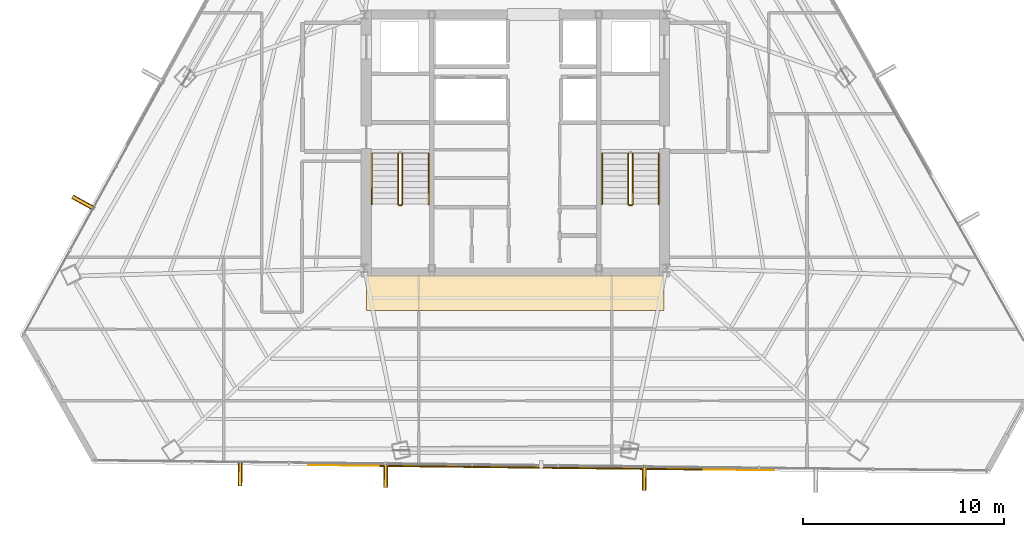
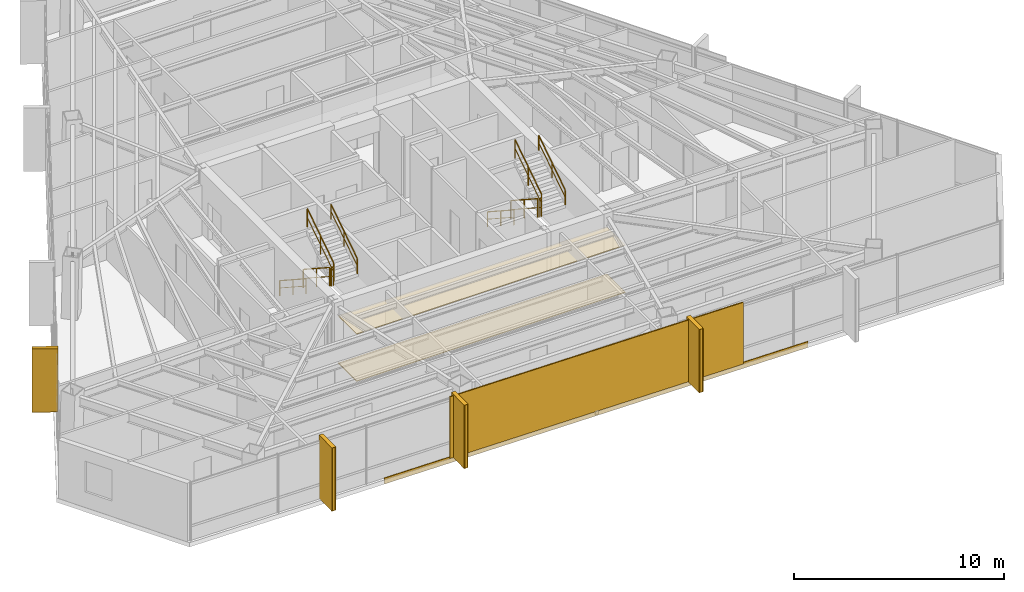
# One storey, part 40 of 42: 10 railings, 7 coverings, 5 shading devices.
"""IFC4 building model written with IfcOpenShell, lengths in metres."""

from ifc_helpers import new_model, si_unit, direction, frame, origin, origin_2d, place, context, subcontext, project, spatial, polyline, rectangle, outline, extrude, source, transform, mapped, material, layer, layer_set, type_object, type_shapes, element, save


model = new_model("IFC4")

# Units and contexts
model_context = context("Model", 3, precision=1e-05, world=origin(), true_north=direction((0.0, 1.0)))
body_context = subcontext(model_context, "Body", "Model", "MODEL_VIEW")
ifc_project = project(units=[si_unit("LENGTHUNIT", "METRE"), si_unit("AREAUNIT", "SQUARE_METRE"), si_unit("VOLUMEUNIT", "CUBIC_METRE"), si_unit("PLANEANGLEUNIT", "RADIAN"), si_unit("MASSUNIT", "GRAM", prefix="KILO")], contexts=[model_context])

# Site, building, storey
site_placement = place(None, origin())
site = spatial("IfcSite", under=ifc_project, at=site_placement, CompositionType="ELEMENT")
building_placement = place(site_placement, origin())
building = spatial("IfcBuilding", under=site, at=building_placement, Name="Caelisora Broadcast Tower", CompositionType="ELEMENT")
storey_placement = place(building_placement, frame((0.0, 0.0, 205.949951171875)))
storey = spatial("IfcBuildingStorey", under=building, at=storey_placement, Name="L54", CompositionType="ELEMENT", Elevation=205.949951171875)

# Coverings
ifc_material_1 = material(Name="Perforated Mineral-Fibre Acoustic Ceiling Tile", Category="gypsum")
ifc_layer_1 = layer(ifc_material_1, 0.034912109375, Name="Perforated Mineral-Fibre Acoustic Ceiling Tile")
ifc_layer_set_1 = layer_set([ifc_layer_1], Name="Perforated Mineral-Fibre Acoustic Ceiling Tile")
covering_type_1 = type_object("IfcCoveringType", Name="CE-1", PredefinedType="CEILING", material=ifc_layer_set_1)
covering_1_placement = place(storey_placement, frame((0.0, 0.0, 2.75)))
element("IfcCovering", 1, at=covering_1_placement, inside=storey, type_object=covering_type_1, Name="L54 acoustic corridor ceiling CE-1 (S)", PredefinedType="CEILING", context=body_context, shape_type="SweptSolid", body=[
    extrude(outline(polyline([(30.60009765625, 15.300048828125), (45.39990234375, 15.300048828125), (45.39990234375, 17.050048828125), (30.60009765625, 17.050048828125), (30.60009765625, 15.300048828125)])), origin(), (0.0, 0.0, 1.0), 0.03515625),
])
ifc_material_2 = material(Name="Anti-Static Broadcast Raised Access Floor Panel", Category="steel")
ifc_layer_2 = layer(ifc_material_2, 0.044921875, Name="Anti-Static Broadcast Raised Access Floor Panel")
ifc_layer_set_2 = layer_set([ifc_layer_2], Name="Anti-Static Broadcast Raised Access Floor Panel")
covering_type_2 = type_object("IfcCoveringType", Name="FL-1", PredefinedType="FLOORING", material=ifc_layer_set_2)
covering_2_placement = place(storey_placement, origin())
element("IfcCovering", 2, at=covering_2_placement, inside=storey, type_object=covering_type_2, Name="L54 broadcast raised access floor FL-1 (S)", PredefinedType="FLOORING", context=body_context, shape_type="SweptSolid", body=[
    extrude(outline(polyline([(30.60009765625, 15.300048828125), (45.39990234375, 15.300048828125), (45.39990234375, 17.050048828125), (30.60009765625, 17.050048828125), (30.60009765625, 15.300048828125)])), origin(), (0.0, 0.0, 1.0), 0.045166015625),
])

# Railings
ifc_material_3 = material(Name="Galvanised Steel Safety Guardrail", Category="steel")
ifc_layer_3 = layer(ifc_material_3, 0.048095703125, Name="Galvanised Steel Safety Guardrail")
ifc_layer_set_3 = layer_set([ifc_layer_3], Name="Galvanised Steel Safety Guardrail")
railing_type_1 = type_object("IfcRailingType", Name="GR-1", PredefinedType="GUARDRAIL", material=ifc_layer_set_3)
railing_1_placement = place(storey_placement, frame((32.169921875, 23.10009765625, 0.1826171875)))
element("IfcRailing", 3, at=railing_1_placement, inside=storey, type_object=railing_type_1, Name="L54 ST-1 stair guard 1", PredefinedType="GUARDRAIL", context=body_context, shape_type="SweptSolid", body=[
    extrude(rectangle(XDim=0.048095703125, YDim=0.048095703125, at=origin_2d()), frame((0.0, 0.0, 1.076171875), z_axis=(0.0, -0.837786554691, 0.545997883492), x_axis=(1.0, 0.0, 0.0)), (0.0, 0.0, 1.0), 3.008056640625),
    extrude(rectangle(XDim=0.03125, YDim=0.03125, at=origin_2d()), frame((0.0, 0.0, 0.550048828125), z_axis=(0.0, -0.837786554691, 0.545997883492), x_axis=(1.0, 0.0, 0.0)), (0.0, 0.0, 1.0), 3.008056640625),
    extrude(rectangle(XDim=0.0419921875, YDim=0.0419921875, at=origin_2d()), origin(), (0.0, 0.0, 1.0), 1.052001953125),
    extrude(rectangle(XDim=0.0419921875, YDim=0.0419921875, at=origin_2d()), frame((0.0, -1.260009765625, 0.8212890625)), (0.0, 0.0, 1.0), 1.052001953125),
    extrude(rectangle(XDim=0.0419921875, YDim=0.0419921875, at=origin_2d()), frame((0.0, -2.52001953125, 1.642333984375)), (0.0, 0.0, 1.0), 1.052001953125),
])
railing_2_placement = place(storey_placement, frame((32.219970703125, 20.530029296875, 1.824951171875)))
element("IfcRailing", 4, at=railing_2_placement, inside=storey, type_object=railing_type_1, Name="L54 ST-1 stair guard 2", PredefinedType="GUARDRAIL", context=body_context, shape_type="SweptSolid", body=[
    extrude(rectangle(XDim=0.048095703125, YDim=0.048095703125, at=origin_2d()), frame((0.0, 0.0, 1.076171875), z_axis=(1.0, 0.0, 0.0), x_axis=(0.0, 1.0, 0.0)), (0.0, 0.0, 1.0), 0.1201171875),
    extrude(rectangle(XDim=0.03125, YDim=0.03125, at=origin_2d()), frame((0.0, 0.0, 0.550048828125), z_axis=(1.0, 0.0, 0.0), x_axis=(0.0, 1.0, 0.0)), (0.0, 0.0, 1.0), 0.1201171875),
    extrude(rectangle(XDim=0.0419921875, YDim=0.0419921875, at=origin_2d()), origin(), (0.0, 0.0, 1.0), 1.052001953125),
    extrude(rectangle(XDim=0.0419921875, YDim=0.0419921875, at=origin_2d()), frame((0.1201171875, 0.0, 0.0)), (0.0, 0.0, 1.0), 1.052001953125),
])
railing_3_placement = place(storey_placement, frame((32.389892578125, 20.580078125, 2.007568359375)))
element("IfcRailing", 5, at=railing_3_placement, inside=storey, type_object=railing_type_1, Name="L54 ST-1 stair guard 3", PredefinedType="GUARDRAIL", context=body_context, shape_type="SweptSolid", body=[
    extrude(rectangle(XDim=0.048095703125, YDim=0.048095703125, at=origin_2d()), frame((0.0, 0.0, 1.076171875), z_axis=(0.0, 0.837749427056, 0.546054848405), x_axis=(-1.0, 0.0, 0.0)), (0.0, 0.0, 1.0), 3.008056640625),
    extrude(rectangle(XDim=0.03125, YDim=0.03125, at=origin_2d()), frame((0.0, 0.0, 0.550048828125), z_axis=(0.0, 0.837749427056, 0.546054848405), x_axis=(-1.0, 0.0, 0.0)), (0.0, 0.0, 1.0), 3.008056640625),
    extrude(rectangle(XDim=0.0419921875, YDim=0.0419921875, at=origin_2d()), origin(), (0.0, 0.0, 1.0), 1.052001953125),
    extrude(rectangle(XDim=0.0419921875, YDim=0.0419921875, at=origin_2d()), frame((0.0, 1.260009765625, 0.8212890625)), (0.0, 0.0, 1.0), 1.052001953125),
    extrude(rectangle(XDim=0.0419921875, YDim=0.0419921875, at=origin_2d()), frame((0.0, 2.52001953125, 1.642578125)), (0.0, 0.0, 1.0), 1.052001953125),
])
railing_4_placement = place(storey_placement, frame((43.610107421875, 23.10009765625, 0.1826171875)))
element("IfcRailing", 6, at=railing_4_placement, inside=storey, type_object=railing_type_1, Name="L54 ST-2 stair guard 1", PredefinedType="GUARDRAIL", context=body_context, shape_type="SweptSolid", body=[
    extrude(rectangle(XDim=0.048095703125, YDim=0.048095703125, at=origin_2d()), frame((0.0, 0.0, 1.076171875), z_axis=(0.0, -0.837786554691, 0.545997883492), x_axis=(1.0, 0.0, 0.0)), (0.0, 0.0, 1.0), 3.008056640625),
    extrude(rectangle(XDim=0.03125, YDim=0.03125, at=origin_2d()), frame((0.0, 0.0, 0.550048828125), z_axis=(0.0, -0.837786554691, 0.545997883492), x_axis=(1.0, 0.0, 0.0)), (0.0, 0.0, 1.0), 3.008056640625),
    extrude(rectangle(XDim=0.0419921875, YDim=0.0419921875, at=origin_2d()), origin(), (0.0, 0.0, 1.0), 1.052001953125),
    extrude(rectangle(XDim=0.0419921875, YDim=0.0419921875, at=origin_2d()), frame((0.0, -1.260009765625, 0.8212890625)), (0.0, 0.0, 1.0), 1.052001953125),
    extrude(rectangle(XDim=0.0419921875, YDim=0.0419921875, at=origin_2d()), frame((0.0, -2.52001953125, 1.642333984375)), (0.0, 0.0, 1.0), 1.052001953125),
])
railing_5_placement = place(storey_placement, frame((43.659912109375, 20.530029296875, 1.824951171875)))
element("IfcRailing", 7, at=railing_5_placement, inside=storey, type_object=railing_type_1, Name="L54 ST-2 stair guard 2", PredefinedType="GUARDRAIL", context=body_context, shape_type="SweptSolid", body=[
    extrude(rectangle(XDim=0.048095703125, YDim=0.048095703125, at=origin_2d()), frame((0.0, 0.0, 1.076171875), z_axis=(1.0, 0.0, 0.0), x_axis=(0.0, 1.0, 0.0)), (0.0, 0.0, 1.0), 0.1201171875),
    extrude(rectangle(XDim=0.03125, YDim=0.03125, at=origin_2d()), frame((0.0, 0.0, 0.550048828125), z_axis=(1.0, 0.0, 0.0), x_axis=(0.0, 1.0, 0.0)), (0.0, 0.0, 1.0), 0.1201171875),
    extrude(rectangle(XDim=0.0419921875, YDim=0.0419921875, at=origin_2d()), origin(), (0.0, 0.0, 1.0), 1.052001953125),
    extrude(rectangle(XDim=0.0419921875, YDim=0.0419921875, at=origin_2d()), frame((0.1201171875, 0.0, 0.0)), (0.0, 0.0, 1.0), 1.052001953125),
])
railing_6_placement = place(storey_placement, frame((43.830078125, 20.580078125, 2.007568359375)))
element("IfcRailing", 8, at=railing_6_placement, inside=storey, type_object=railing_type_1, Name="L54 ST-2 stair guard 3", PredefinedType="GUARDRAIL", context=body_context, shape_type="SweptSolid", body=[
    extrude(rectangle(XDim=0.048095703125, YDim=0.048095703125, at=origin_2d()), frame((0.0, 0.0, 1.076171875), z_axis=(0.0, 0.837749427056, 0.546054848405), x_axis=(-1.0, 0.0, 0.0)), (0.0, 0.0, 1.0), 3.008056640625),
    extrude(rectangle(XDim=0.03125, YDim=0.03125, at=origin_2d()), frame((0.0, 0.0, 0.550048828125), z_axis=(0.0, 0.837749427056, 0.546054848405), x_axis=(-1.0, 0.0, 0.0)), (0.0, 0.0, 1.0), 3.008056640625),
    extrude(rectangle(XDim=0.0419921875, YDim=0.0419921875, at=origin_2d()), origin(), (0.0, 0.0, 1.0), 1.052001953125),
    extrude(rectangle(XDim=0.0419921875, YDim=0.0419921875, at=origin_2d()), frame((0.0, 1.260009765625, 0.8212890625)), (0.0, 0.0, 1.0), 1.052001953125),
    extrude(rectangle(XDim=0.0419921875, YDim=0.0419921875, at=origin_2d()), frame((0.0, 2.52001953125, 1.642578125)), (0.0, 0.0, 1.0), 1.052001953125),
])
ifc_material_4 = material(Name="Stainless Steel Grade 316 Tubular Handrail", Category="steel")
ifc_layer_4 = layer(ifc_material_4, 0.048095703125, Name="Stainless Steel Grade 316 Tubular Handrail")
ifc_layer_set_4 = layer_set([ifc_layer_4], Name="Stainless Steel Grade 316 Tubular Handrail")
railing_type_2 = type_object("IfcRailingType", Name="HR-1", PredefinedType="HANDRAIL", material=ifc_layer_set_4)
railing_7_placement = place(storey_placement, frame((30.8701171875, 23.10009765625, 0.1826171875)))
element("IfcRailing", 9, at=railing_7_placement, inside=storey, type_object=railing_type_2, Name="L54 ST-1 stair handrail 1", PredefinedType="HANDRAIL", context=body_context, shape_type="SweptSolid", body=[
    extrude(rectangle(XDim=0.048095703125, YDim=0.048095703125, at=origin_2d()), frame((0.0, 0.0, 0.8759765625), z_axis=(0.0, -0.837786554691, 0.545997883492), x_axis=(1.0, 0.0, 0.0)), (0.0, 0.0, 1.0), 3.008056640625),
    extrude(rectangle(XDim=0.03125, YDim=0.03125, at=origin_2d()), frame((0.0, 0.0, 0.449951171875), z_axis=(0.0, -0.837786554691, 0.545997883492), x_axis=(1.0, 0.0, 0.0)), (0.0, 0.0, 1.0), 3.008056640625),
    extrude(rectangle(XDim=0.0419921875, YDim=0.0419921875, at=origin_2d()), origin(), (0.0, 0.0, 1.0), 0.851806640625),
    extrude(rectangle(XDim=0.0419921875, YDim=0.0419921875, at=origin_2d()), frame((0.0, -1.260009765625, 0.8212890625)), (0.0, 0.0, 1.0), 0.851806640625),
    extrude(rectangle(XDim=0.0419921875, YDim=0.0419921875, at=origin_2d()), frame((0.0, -2.52001953125, 1.642333984375)), (0.0, 0.0, 1.0), 0.851806640625),
])
railing_8_placement = place(storey_placement, frame((33.68994140625, 20.580078125, 2.007568359375)))
element("IfcRailing", 10, at=railing_8_placement, inside=storey, type_object=railing_type_2, Name="L54 ST-1 stair handrail 2", PredefinedType="HANDRAIL", context=body_context, shape_type="SweptSolid", body=[
    extrude(rectangle(XDim=0.048095703125, YDim=0.048095703125, at=origin_2d()), frame((0.0, 0.0, 0.8759765625), z_axis=(0.0, 0.837749427056, 0.546054848405), x_axis=(-1.0, 0.0, 0.0)), (0.0, 0.0, 1.0), 3.008056640625),
    extrude(rectangle(XDim=0.03125, YDim=0.03125, at=origin_2d()), frame((0.0, 0.0, 0.449951171875), z_axis=(0.0, 0.837749427056, 0.546054848405), x_axis=(-1.0, 0.0, 0.0)), (0.0, 0.0, 1.0), 3.008056640625),
    extrude(rectangle(XDim=0.0419921875, YDim=0.0419921875, at=origin_2d()), origin(), (0.0, 0.0, 1.0), 0.851806640625),
    extrude(rectangle(XDim=0.0419921875, YDim=0.0419921875, at=origin_2d()), frame((0.0, 1.260009765625, 0.8212890625)), (0.0, 0.0, 1.0), 0.851806640625),
    extrude(rectangle(XDim=0.0419921875, YDim=0.0419921875, at=origin_2d()), frame((0.0, 2.52001953125, 1.642578125)), (0.0, 0.0, 1.0), 0.851806640625),
])
railing_9_placement = place(storey_placement, frame((42.31005859375, 23.10009765625, 0.1826171875)))
element("IfcRailing", 11, at=railing_9_placement, inside=storey, type_object=railing_type_2, Name="L54 ST-2 stair handrail 1", PredefinedType="HANDRAIL", context=body_context, shape_type="SweptSolid", body=[
    extrude(rectangle(XDim=0.048095703125, YDim=0.048095703125, at=origin_2d()), frame((0.0, 0.0, 0.8759765625), z_axis=(0.0, -0.837786554691, 0.545997883492), x_axis=(1.0, 0.0, 0.0)), (0.0, 0.0, 1.0), 3.008056640625),
    extrude(rectangle(XDim=0.03125, YDim=0.03125, at=origin_2d()), frame((0.0, 0.0, 0.449951171875), z_axis=(0.0, -0.837786554691, 0.545997883492), x_axis=(1.0, 0.0, 0.0)), (0.0, 0.0, 1.0), 3.008056640625),
    extrude(rectangle(XDim=0.0419921875, YDim=0.0419921875, at=origin_2d()), origin(), (0.0, 0.0, 1.0), 0.851806640625),
    extrude(rectangle(XDim=0.0419921875, YDim=0.0419921875, at=origin_2d()), frame((0.0, -1.260009765625, 0.8212890625)), (0.0, 0.0, 1.0), 0.851806640625),
    extrude(rectangle(XDim=0.0419921875, YDim=0.0419921875, at=origin_2d()), frame((0.0, -2.52001953125, 1.642333984375)), (0.0, 0.0, 1.0), 0.851806640625),
])
railing_10_placement = place(storey_placement, frame((45.1298828125, 20.580078125, 2.007568359375)))
element("IfcRailing", 12, at=railing_10_placement, inside=storey, type_object=railing_type_2, Name="L54 ST-2 stair handrail 2", PredefinedType="HANDRAIL", context=body_context, shape_type="SweptSolid", body=[
    extrude(rectangle(XDim=0.048095703125, YDim=0.048095703125, at=origin_2d()), frame((0.0, 0.0, 0.8759765625), z_axis=(0.0, 0.837749427056, 0.546054848405), x_axis=(-1.0, 0.0, 0.0)), (0.0, 0.0, 1.0), 3.008056640625),
    extrude(rectangle(XDim=0.03125, YDim=0.03125, at=origin_2d()), frame((0.0, 0.0, 0.449951171875), z_axis=(0.0, 0.837749427056, 0.546054848405), x_axis=(-1.0, 0.0, 0.0)), (0.0, 0.0, 1.0), 3.008056640625),
    extrude(rectangle(XDim=0.0419921875, YDim=0.0419921875, at=origin_2d()), origin(), (0.0, 0.0, 1.0), 0.851806640625),
    extrude(rectangle(XDim=0.0419921875, YDim=0.0419921875, at=origin_2d()), frame((0.0, 1.260009765625, 0.8212890625)), (0.0, 0.0, 1.0), 0.851806640625),
    extrude(rectangle(XDim=0.0419921875, YDim=0.0419921875, at=origin_2d()), frame((0.0, 2.52001953125, 1.642578125)), (0.0, 0.0, 1.0), 0.851806640625),
])

# Coverings
ifc_material_5 = material(Name="Kiln-Fired Terracotta Spandrel Rainscreen Cladding", Category="ceramic")
ifc_layer_5 = layer(ifc_material_5, 0.044921875, Name="Kiln-Fired Terracotta Spandrel Rainscreen Cladding")
ifc_layer_set_5 = layer_set([ifc_layer_5], Name="Kiln-Fired Terracotta Spandrel Rainscreen Cladding")
covering_type_3 = type_object("IfcCoveringType", Name="CL-1", PredefinedType="CLADDING", material=ifc_layer_set_5)
shared_shape_1 = source(origin(), body_context, "Body", "SweptSolid", [
    extrude(rectangle(XDim=0.219970703125, YDim=1.25, at=origin_2d()), origin(), (0.0, 0.0, 1.0), 3.68994140625),
])
for number, where, z_axis, x_axis, name in (
    (13, (44.41259765625, 6.97216796875, -0.02001953125), (0.0, 0.0, 1.0), (-0.99993565026, 0.011344396795, 0.0), "L54 vertical solar fin cladding #2-2"),
    (14, (31.55810546875, 7.118408203125, -0.02001953125), (0.0, 0.0, 1.0), (-0.99993565026, 0.011344396795, 0.0), "L54 vertical solar fin cladding #2-3"),
    (15, (24.32275390625, 7.20068359375, -0.02001953125), (0.0, 0.0, 1.0), (-0.99993565026, 0.011344396795, 0.0), "L54 vertical solar fin cladding #2-4"),
    (16, (16.53173828125, 20.650146484375, -0.02001953125), (0.0, 0.0, 1.0), (0.48312957851, 0.875548862354, 0.0), "L54 vertical solar fin cladding #3-1"),
):
    element("IfcCovering", number, at=place(storey_placement, frame(where, z_axis=z_axis, x_axis=x_axis)), inside=storey, type_object=covering_type_3, Name=name, PredefinedType="CLADDING", context=body_context, shape_type="MappedRepresentation", body=[
        mapped(shared_shape_1, transform((0.0, 0.0, 0.0), scale=1.0)),
    ])

# Shading devices
ifc_material_6 = material(Name="Extruded Terracotta Flaring Colonnade Fin", Category="ceramic")
ifc_layer_6 = layer(ifc_material_6, 0.139892578125, Name="Extruded Terracotta Flaring Colonnade Fin")
ifc_layer_set_6 = layer_set([ifc_layer_6], Name="Extruded Terracotta Flaring Colonnade Fin")
shading_device_type_1 = type_object("IfcShadingDeviceType", Name="FN-1", PredefinedType="USERDEFINED", material=ifc_layer_set_6)
shared_shape_2 = source(origin(), body_context, "Body", "SweptSolid", [
    extrude(rectangle(XDim=0.139892578125, YDim=1.25, at=origin_2d()), origin(), (0.0, 0.0, 1.0), 3.669921875),
])
type_shapes(shading_device_type_1, [shared_shape_2])
for number, where, z_axis, x_axis, name in (
    (17, (44.41259765625, 6.97216796875, -0.010009765625), (0.0, 0.0, 1.0), (-0.99993565026, 0.011344396795, 0.0), "L54 vertical terracotta fin #2-2"),
    (18, (31.55810546875, 7.118408203125, -0.010009765625), (0.0, 0.0, 1.0), (-0.99993565026, 0.011344396795, 0.0), "L54 vertical terracotta fin #2-3"),
    (19, (24.32275390625, 7.20068359375, -0.010009765625), (0.0, 0.0, 1.0), (-0.99993565026, 0.011344396795, 0.0), "L54 vertical terracotta fin #2-4"),
    (20, (16.53173828125, 20.650146484375, -0.010009765625), (0.0, 0.0, 1.0), (0.48312957851, 0.875548862354, 0.0), "L54 vertical terracotta fin #3-1"),
):
    element("IfcShadingDevice", number, at=place(storey_placement, frame(where, z_axis=z_axis, x_axis=x_axis)), inside=storey, type_object=shading_device_type_1, Name=name, ObjectType="FIN", PredefinedType="USERDEFINED", context=body_context, shape_type="MappedRepresentation", body=[
        mapped(shared_shape_2, transform((0.0, 0.0, 0.0), scale=1.0)),
    ])
ifc_material_7 = material(Name="Perforated Glazed Terracotta Baguette Solar Screen", Category="ceramic")
ifc_layer_7 = layer(ifc_material_7, 0.06494140625, Name="Perforated Glazed Terracotta Baguette Solar Screen")
ifc_layer_set_7 = layer_set([ifc_layer_7], Name="Perforated Glazed Terracotta Baguette Solar Screen")
shading_device_type_2 = type_object("IfcShadingDeviceType", Name="SS-1", PredefinedType="USERDEFINED", material=ifc_layer_set_7)
shared_shape_3 = source(origin(), body_context, "Body", "SweptSolid", [
    extrude(rectangle(XDim=16.0390625, YDim=0.06494140625, at=origin_2d()), origin(), (0.0, 0.0, 1.0), 3.590087890625),
])
type_shapes(shading_device_type_2, [shared_shape_3])
shading_device_placement = place(storey_placement, frame((39.281982421875, 7.48046875, 0.0), z_axis=(0.0, 0.0, 1.0), x_axis=(0.99993565026, -0.011344396795, 0.0)))
element("IfcShadingDevice", 21, at=shading_device_placement, inside=storey, type_object=shading_device_type_2, Name="L54 perforated terracotta solar screen #2", ObjectType="SOLAR SCREEN", PredefinedType="USERDEFINED", context=body_context, shape_type="MappedRepresentation", body=[
    mapped(shared_shape_3, transform((0.0, 0.0, 0.0), scale=1.0)),
])

# Covering
shared_shape_4 = source(origin(), body_context, "Body", "SweptSolid", [
    extrude(rectangle(XDim=23.16796875, YDim=0.044921875, at=origin_2d()), origin(), (0.0, 0.0, 1.0), 0.340087890625),
])
type_shapes(covering_type_3, [shared_shape_1, shared_shape_4])
covering_3_placement = place(storey_placement, frame((39.2822265625, 7.50048828125, -0.27001953125), z_axis=(0.0, 0.0, 1.0), x_axis=(0.99993565026, -0.011344396795, 0.0)))
element("IfcCovering", 22, at=covering_3_placement, inside=storey, type_object=covering_type_3, Name="L54 terracotta spandrel rainscreen #2", PredefinedType="CLADDING", context=body_context, shape_type="MappedRepresentation", body=[
    mapped(shared_shape_4, transform((0.0, 0.0, 0.0), scale=1.0)),
])

save(model, "model.ifc")
